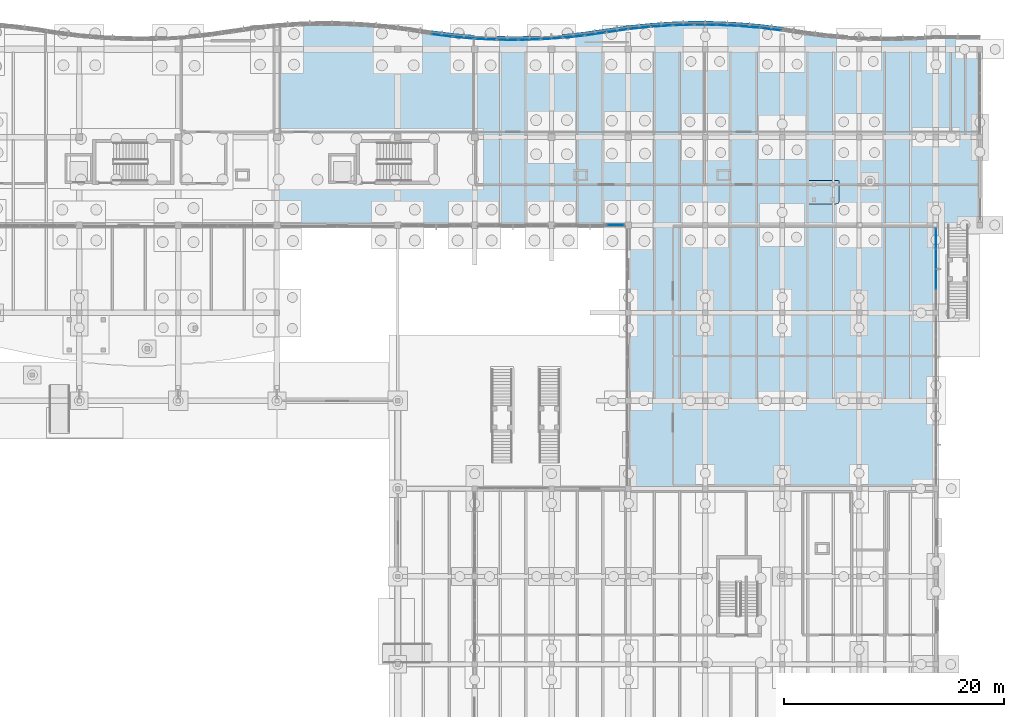
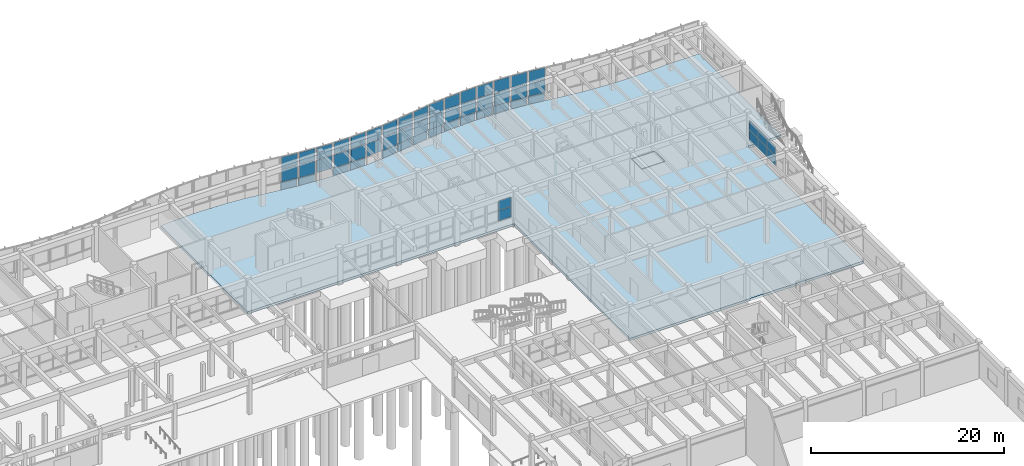
# One storey, part 59 of 99: 54 plates, 2 slabs, 18 elements without a shape of their own.
"""IFC4 building model written with IfcOpenShell, lengths in metres."""

import ifcopenshell
import ifcopenshell.guid

model = None  # the IFC model being written
_history = None  # IfcOwnerHistory: only IFC2X3 demands one
_inside = {}  # id of a spatial element -> (the spatial element, [elements in it])
_under = {}  # id of a project, library or spatial element -> (it, [spatial elements below it])
_declared = {}  # id of a project -> (the project, [libraries it declares])
_typed = {}  # id of a type object -> (the type object, [elements of that type])
_made_of = {}  # id of a material, layer set ... -> (it, [elements and type objects made of it])


def new_model(schema):
    """Start an empty IFC model of exactly this schema.

    Asked for "IFC4X3", IfcOpenShell would pick the latest addendum, in which some entities
    have other attributes; the version numbers below select the first issue.
    IFC2X3 requires an IfcOwnerHistory on every rooted entity: one is made here for all.
    """
    global model, _history
    if schema == "IFC4X3":
        model = ifcopenshell.file(schema_version=(4, 3, 0, 0))
    else:
        model = ifcopenshell.file(schema=schema)
    _inside.clear()
    _under.clear()
    _declared.clear()
    _typed.clear()
    _made_of.clear()
    _history = None
    if model.schema == "IFC2X3":
        org = make("IfcOrganization", Name="unknown")
        user = make(
            "IfcPersonAndOrganization",
            ThePerson=make("IfcPerson", FamilyName="unknown"),
            TheOrganization=org,
        )
        app = make(
            "IfcApplication",
            ApplicationDeveloper=org,
            Version="unknown",
            ApplicationFullName="unknown",
            ApplicationIdentifier="unknown",
        )
        _history = make(
            "IfcOwnerHistory",
            OwningUser=user,
            OwningApplication=app,
            ChangeAction="ADDED",
            CreationDate=0,
        )
    return model


def make(cls, **values):
    """One entity of the class cls with the attributes given. An attribute that is None is left unset."""
    return model.create_entity(
        cls, **{name: value for name, value in values.items() if value is not None}
    )


def rooted(cls, **values):
    """An entity with a GlobalId (a new one), such as an element, a storey or a relation."""
    return make(cls, GlobalId=ifcopenshell.guid.new(), OwnerHistory=_history, **values)


def si_unit(unit_type, name, prefix=None):
    """IfcSIUnit, for example si_unit("LENGTHUNIT", "METRE", prefix="MILLI")."""
    return make("IfcSIUnit", UnitType=unit_type, Prefix=prefix, Name=name)


def assignment(units):
    """IfcUnitAssignment: the units of a project."""
    return None if units is None else make("IfcUnitAssignment", Units=units)


def point(xyz):
    """IfcCartesianPoint."""
    return None if xyz is None else make("IfcCartesianPoint", Coordinates=xyz)


def direction(xyz):
    """IfcDirection."""
    return None if xyz is None else make("IfcDirection", DirectionRatios=xyz)


def frame(location, z_axis=None, x_axis=None):
    """IfcAxis2Placement3D, a coordinate frame: its origin and axes. An axis left out is left unset."""
    return make(
        "IfcAxis2Placement3D",
        Location=point(location),
        Axis=direction(z_axis),
        RefDirection=direction(x_axis),
    )


def frame_2d(location, x_axis=None):
    """IfcAxis2Placement2D, a coordinate frame in the plane: its origin and x axis."""
    return make(
        "IfcAxis2Placement2D", Location=point(location), RefDirection=direction(x_axis)
    )


def origin():
    """The frame at (0, 0, 0) with its axes left unset."""
    return frame((0.0, 0.0, 0.0))


def origin_2d():
    """The frame at (0, 0) in the plane with its x axis left unset."""
    return frame_2d((0.0, 0.0))


def place(relative_to, where):
    """IfcLocalPlacement: puts the frame where relative to a parent placement (None: the world)."""
    return make(
        "IfcLocalPlacement", PlacementRelTo=relative_to, RelativePlacement=where
    )


def context(
    kind, dimensions, precision=None, world=None, true_north=None, identifier=None
):
    """IfcGeometricRepresentationContext, for example the 3D "Model" context."""
    return make(
        "IfcGeometricRepresentationContext",
        ContextIdentifier=identifier,
        ContextType=kind,
        CoordinateSpaceDimension=dimensions,
        Precision=precision,
        WorldCoordinateSystem=world,
        TrueNorth=true_north,
    )


def subcontext(parent, identifier, kind, view, scale=None):
    """IfcGeometricRepresentationSubContext, for example "Body" below "Model"."""
    return make(
        "IfcGeometricRepresentationSubContext",
        ContextIdentifier=identifier,
        ContextType=kind,
        ParentContext=parent,
        TargetScale=scale,
        TargetView=view,
    )


def project(units=None, contexts=None):
    """IfcProject with its units and contexts."""
    return rooted(
        "IfcProject",
        Name="project",
        RepresentationContexts=contexts,
        UnitsInContext=assignment(units),
    )


def spatial(cls, under=None, at=None, **own):
    """A site, building, storey or space (cls), placed at a placement, below another one or the project."""
    s = rooted(cls, ObjectPlacement=at, **own)
    if under is not None:
        _under.setdefault(under.id(), (under, []))[1].append(s)
    return s


def polyline(points):
    """IfcPolyline through the points."""
    return make("IfcPolyline", Points=[point(p) for p in points])


def profile(cls, at=None, kind="AREA", **sizes):
    """A parametric profile (cls). Its sizes go by their IFC names, for example OverallWidth=200.0."""
    return make(cls, ProfileType=kind, Position=at, **sizes)


def rectangle(**sizes):
    """IfcRectangleProfileDef."""
    return profile("IfcRectangleProfileDef", **sizes)


def outline(outer, holes=None, kind="AREA"):
    """IfcArbitraryClosedProfileDef: a profile drawn as a closed curve; with holes, ...WithVoids."""
    if holes is None:
        return make("IfcArbitraryClosedProfileDef", ProfileType=kind, OuterCurve=outer)
    return make(
        "IfcArbitraryProfileDefWithVoids",
        ProfileType=kind,
        OuterCurve=outer,
        InnerCurves=holes,
    )


def extrude(swept, where, along, depth):
    """IfcExtrudedAreaSolid: the profile swept, set in the frame where, extruded along a direction by depth."""
    return make(
        "IfcExtrudedAreaSolid",
        SweptArea=swept,
        Position=where,
        ExtrudedDirection=direction(along),
        Depth=depth,
    )


def shape(context_of_items, identifier, shape_type, items):
    """IfcShapeRepresentation: the items that make up one representation, for example the "Body"."""
    return make(
        "IfcShapeRepresentation",
        ContextOfItems=context_of_items,
        RepresentationIdentifier=identifier,
        RepresentationType=shape_type,
        Items=items,
    )


def material(Name=None, Category=None):
    """IfcMaterial."""
    return make("IfcMaterial", Name=Name, Category=Category)


def layer(
    of_material, thickness, ventilated=None, Name=None, Category=None, Priority=None
):
    """IfcMaterialLayer: one layer of a wall or slab, of a material (None: an air gap)."""
    return make(
        "IfcMaterialLayer",
        Material=of_material,
        LayerThickness=thickness,
        IsVentilated=ventilated,
        Name=Name,
        Category=Category,
        Priority=Priority,
    )


def layer_set(layers, Name=None):
    """IfcMaterialLayerSet."""
    return make("IfcMaterialLayerSet", MaterialLayers=layers, LayerSetName=Name)


def made_of(thing, what):
    """Note that an element or type object is made of a material, layer set ...; save() writes the relation."""
    if what is not None:
        _made_of.setdefault(what.id(), (what, []))[1].append(thing)
    return thing


def type_object(cls, material=None, **own):
    """A type object (cls), such as IfcWallType, which elements share."""
    return made_of(rooted(cls, **own), material)


def element(
    cls,
    number,
    at=None,
    inside=None,
    cuts=None,
    type_object=None,
    material=None,
    context=None,
    identifier="Body",
    shape_type=None,
    held_by="IfcProductDefinitionShape",
    body=None,
    shapes=None,
    **own,
):
    """One element of the class cls, such as IfcWall. Its Tag is "e" and its number.

    at: its placement. inside: the storey or other place that contains it. cuts: it is an
    opening in that element (IfcRelVoidsElement). A single representation is given by context,
    identifier, shape_type and body (its items); several are given by shapes. held_by: the class
    of the entity that holds the representations. save() writes the other relations.
    """
    e = rooted(cls, Tag="e%d" % number, ObjectPlacement=at, **own)
    if body is not None:
        shapes = [shape(context, identifier, shape_type, body)]
    if shapes is not None:
        e.Representation = make(held_by, Representations=shapes)
    if inside is not None:
        _inside.setdefault(inside.id(), (inside, []))[1].append(e)
    if cuts is not None:
        rooted(
            "IfcRelVoidsElement", RelatingBuildingElement=cuts, RelatedOpeningElement=e
        )
    if type_object is not None:
        _typed.setdefault(type_object.id(), (type_object, []))[1].append(e)
    return made_of(e, material)


def aggregate(whole, parts):
    """IfcRelAggregates: a whole, such as a stair, and the parts it consists of."""
    return rooted("IfcRelAggregates", RelatingObject=whole, RelatedObjects=parts)


def save(model, path):
    """Write the relations noted so far, then the file.

    IfcRelAggregates (storeys below a building ...), IfcRelContainedInSpatialStructure (elements
    in a storey), IfcRelDefinesByType, IfcRelAssociatesMaterial and IfcRelDeclares: one each for
    every whole, place, type object, material and project.
    """
    for whole, parts in _under.values():
        aggregate(whole, parts)
    for where, things in _inside.values():
        rooted(
            "IfcRelContainedInSpatialStructure",
            RelatedElements=things,
            RelatingStructure=where,
        )
    for kind, things in _typed.values():
        rooted("IfcRelDefinesByType", RelatedObjects=things, RelatingType=kind)
    for what, things in _made_of.values():
        rooted("IfcRelAssociatesMaterial", RelatedObjects=things, RelatingMaterial=what)
    for by, libraries in _declared.values():
        rooted("IfcRelDeclares", RelatingContext=by, RelatedDefinitions=libraries)
    model.write(path)


model = new_model("IFC4")

# Units and contexts
model_context = context("Model", 3, precision=1e-05, world=origin(), true_north=direction((0.0, 1.0)))
body_context = subcontext(model_context, "Body", "Model", "MODEL_VIEW")
ifc_project = project(units=[si_unit("LENGTHUNIT", "METRE"), si_unit("AREAUNIT", "SQUARE_METRE"), si_unit("VOLUMEUNIT", "CUBIC_METRE"), si_unit("PLANEANGLEUNIT", "RADIAN"), si_unit("MASSUNIT", "GRAM", prefix="KILO")], contexts=[model_context])

# Site, building, storey
site_placement = place(None, origin())
site = spatial("IfcSite", under=ifc_project, at=site_placement, CompositionType="ELEMENT")
building_placement = place(site_placement, origin())
building = spatial("IfcBuilding", under=site, at=building_placement, Name="Tonlespit Floodbar School", CompositionType="ELEMENT")
storey_placement = place(building_placement, origin())
storey = spatial("IfcBuildingStorey", under=building, at=storey_placement, Name="L00", CompositionType="ELEMENT", Elevation=0.0)

# Curtain wall, plates
ifc_material_1 = material(Name="Anodised Aluminium", Category="aluminium")
ifc_layer_1 = layer(ifc_material_1, 0.159912109375)
ifc_layer_set_1 = layer_set([ifc_layer_1], Name="Anodised Aluminium")
curtain_wall_type_1 = type_object("IfcCurtainWallType", Name="CurtainWall_1900x3300", PredefinedType="NOTDEFINED", material=ifc_layer_set_1)
curtain_wall_1_placement = place(storey_placement, origin())
curtain_wall_1 = element("IfcCurtainWall", 1, at=curtain_wall_1_placement, inside=storey, type_object=curtain_wall_type_1, Name="L00 unitised curtain wall 0349", PredefinedType="NOTDEFINED")
ifc_material_2 = material(Name="Laminated Low-E Glass", Category="glass")
ifc_layer_2 = layer(ifc_material_2, 0.028076171875)
ifc_layer_set_2 = layer_set([ifc_layer_2], Name="Laminated Low-E Glass")
plate_type_1 = type_object("IfcPlateType", Name="CW_Panel_Glaz_28", PredefinedType="CURTAIN_PANEL", material=ifc_layer_set_2)
plate_1_placement = place(storey_placement, frame((137.0, 120.862548828125, 1.014892578125), z_axis=(0.0, 0.0, 1.0), x_axis=(0.999954083024, -0.009582893292, 0.0)))
plate_1 = element("IfcPlate", 2, at=plate_1_placement, type_object=plate_type_1, Name="CW-02 panel 1.1", PredefinedType="CURTAIN_PANEL", context=body_context, shape_type="SweptSolid", body=[
    extrude(rectangle(XDim=1.7900390625, YDim=0.028076171875, at=origin_2d()), origin(), (0.0, 0.0, 1.0), 1.61328125),
])
plate_2_placement = place(storey_placement, frame((137.0, 120.862548828125, 2.693359375), z_axis=(0.0, 0.0, 1.0), x_axis=(0.999954083024, -0.009582893292, 0.0)))
plate_2 = element("IfcPlate", 3, at=plate_2_placement, type_object=plate_type_1, Name="CW-02 panel 1.2", PredefinedType="CURTAIN_PANEL", context=body_context, shape_type="SweptSolid", body=[
    extrude(rectangle(XDim=1.7900390625, YDim=0.028076171875, at=origin_2d()), origin(), (0.0, 0.0, 1.0), 1.481689453125),
])
aggregate(curtain_wall_1, [plate_1, plate_2])

ifc_layer_3 = layer(ifc_material_1, 0.159912109375)
ifc_layer_set_3 = layer_set([ifc_layer_3], Name="Anodised Aluminium")
curtain_wall_type_2 = type_object("IfcCurtainWallType", Name="CurtainWall_1950x3300", PredefinedType="NOTDEFINED", material=ifc_layer_set_3)
curtain_wall_2_placement = place(storey_placement, origin())
curtain_wall_2 = element("IfcCurtainWall", 4, at=curtain_wall_2_placement, inside=storey, type_object=curtain_wall_type_2, Name="L00 unitised curtain wall 0353", PredefinedType="NOTDEFINED")
plate_3_placement = place(storey_placement, frame((145.0, 121.404296875, 1.014892578125), z_axis=(0.0, 0.0, 1.0), x_axis=(0.989541561858, 0.144248041079, 0.0)))
plate_3 = element("IfcPlate", 5, at=plate_3_placement, type_object=plate_type_1, Name="CW-01 panel 1.1", PredefinedType="CURTAIN_PANEL", context=body_context, shape_type="SweptSolid", body=[
    extrude(rectangle(XDim=1.81103515625, YDim=0.028076171875, at=origin_2d()), origin(), (0.0, 0.0, 1.0), 1.61328125),
])
plate_4_placement = place(storey_placement, frame((145.0, 121.404296875, 2.693359375), z_axis=(0.0, 0.0, 1.0), x_axis=(0.989541561858, 0.144248041079, 0.0)))
plate_4 = element("IfcPlate", 6, at=plate_4_placement, type_object=plate_type_1, Name="CW-01 panel 1.2", PredefinedType="CURTAIN_PANEL", context=body_context, shape_type="SweptSolid", body=[
    extrude(rectangle(XDim=1.81103515625, YDim=0.028076171875, at=origin_2d()), origin(), (0.0, 0.0, 1.0), 1.481689453125),
])
aggregate(curtain_wall_2, [plate_3, plate_4])

curtain_wall_3_placement = place(storey_placement, origin())
curtain_wall_3 = element("IfcCurtainWall", 7, at=curtain_wall_3_placement, inside=storey, type_object=curtain_wall_type_1, Name="L00 unitised curtain wall 0357", PredefinedType="NOTDEFINED")
plate_5_placement = place(storey_placement, frame((153.0, 122.21826171875, 1.014892578125), z_axis=(0.0, 0.0, 1.0), x_axis=(0.999585477883, 0.028790144226, 0.0)))
plate_5 = element("IfcPlate", 8, at=plate_5_placement, type_object=plate_type_1, Name="CW-02 panel 1.1", PredefinedType="CURTAIN_PANEL", context=body_context, shape_type="SweptSolid", body=[
    extrude(rectangle(XDim=1.790771484375, YDim=0.028076171875, at=origin_2d()), origin(), (0.0, 0.0, 1.0), 1.61328125),
])
plate_6_placement = place(storey_placement, frame((153.0, 122.21826171875, 2.693359375), z_axis=(0.0, 0.0, 1.0), x_axis=(0.999585477883, 0.028790144226, 0.0)))
plate_6 = element("IfcPlate", 9, at=plate_6_placement, type_object=plate_type_1, Name="CW-02 panel 1.2", PredefinedType="CURTAIN_PANEL", context=body_context, shape_type="SweptSolid", body=[
    extrude(rectangle(XDim=1.790771484375, YDim=0.028076171875, at=origin_2d()), origin(), (0.0, 0.0, 1.0), 1.481689453125),
])
aggregate(curtain_wall_3, [plate_5, plate_6])

curtain_wall_4_placement = place(storey_placement, origin())
curtain_wall_4 = element("IfcCurtainWall", 10, at=curtain_wall_4_placement, inside=storey, type_object=curtain_wall_type_2, Name="L00 unitised curtain wall 0361", PredefinedType="NOTDEFINED")
plate_7_placement = place(storey_placement, frame((161.0, 121.831787109375, 1.014892578125), z_axis=(0.0, 0.0, 1.0), x_axis=(0.992155002499, -0.125013803299, 0.0)))
plate_7 = element("IfcPlate", 11, at=plate_7_placement, type_object=plate_type_1, Name="CW-01 panel 1.1", PredefinedType="CURTAIN_PANEL", context=body_context, shape_type="SweptSolid", body=[
    extrude(rectangle(XDim=1.805908203125, YDim=0.028076171875, at=origin_2d()), origin(), (0.0, 0.0, 1.0), 1.61328125),
])
plate_8_placement = place(storey_placement, frame((161.0, 121.831787109375, 2.693359375), z_axis=(0.0, 0.0, 1.0), x_axis=(0.992155002499, -0.125013803299, 0.0)))
plate_8 = element("IfcPlate", 12, at=plate_8_placement, type_object=plate_type_1, Name="CW-01 panel 1.2", PredefinedType="CURTAIN_PANEL", context=body_context, shape_type="SweptSolid", body=[
    extrude(rectangle(XDim=1.805908203125, YDim=0.028076171875, at=origin_2d()), origin(), (0.0, 0.0, 1.0), 1.481689453125),
])
aggregate(curtain_wall_4, [plate_7, plate_8])

curtain_wall_5_placement = place(storey_placement, origin())
curtain_wall_5 = element("IfcCurtainWall", 13, at=curtain_wall_5_placement, inside=storey, type_object=curtain_wall_type_2, Name="L00 unitised curtain wall 0346", PredefinedType="NOTDEFINED")
ifc_layer_4 = layer(ifc_material_2, 0.031982421875)
ifc_layer_set_4 = layer_set([ifc_layer_4], Name="Laminated Low-E Glass")
plate_type_2 = type_object("IfcPlateType", Name="CW_Panel_Glaz_32", PredefinedType="CURTAIN_PANEL", material=ifc_layer_set_4)
plate_9_placement = place(storey_placement, frame((131.0, 121.268310546875, 1.014892578125), z_axis=(0.0, 0.0, 1.0), x_axis=(0.992155002499, -0.125013803299, 0.0)))
plate_9 = element("IfcPlate", 14, at=plate_9_placement, type_object=plate_type_2, Name="CW-01 panel 1.1", PredefinedType="CURTAIN_PANEL", context=body_context, shape_type="SweptSolid", body=[
    extrude(rectangle(XDim=1.805908203125, YDim=0.031982421875, at=origin_2d()), origin(), (0.0, 0.0, 1.0), 1.61328125),
])
plate_10_placement = place(storey_placement, frame((131.0, 121.268310546875, 2.693359375), z_axis=(0.0, 0.0, 1.0), x_axis=(0.992155002499, -0.125013803299, 0.0)))
plate_10 = element("IfcPlate", 15, at=plate_10_placement, type_object=plate_type_2, Name="CW-01 panel 1.2", PredefinedType="CURTAIN_PANEL", context=body_context, shape_type="SweptSolid", body=[
    extrude(rectangle(XDim=1.805908203125, YDim=0.031982421875, at=origin_2d()), origin(), (0.0, 0.0, 1.0), 1.481689453125),
])
aggregate(curtain_wall_5, [plate_9, plate_10])

curtain_wall_6_placement = place(storey_placement, origin())
curtain_wall_6 = element("IfcCurtainWall", 16, at=curtain_wall_6_placement, inside=storey, type_object=curtain_wall_type_1, Name="L00 unitised curtain wall 0350", PredefinedType="NOTDEFINED")
plate_11_placement = place(storey_placement, frame((139.0, 120.8818359375, 1.014892578125), z_axis=(0.0, 0.0, 1.0), x_axis=(0.999585477883, 0.028790144226, 0.0)))
plate_11 = element("IfcPlate", 17, at=plate_11_placement, type_object=plate_type_2, Name="CW-02 panel 1.1", PredefinedType="CURTAIN_PANEL", context=body_context, shape_type="SweptSolid", body=[
    extrude(rectangle(XDim=1.790771484375, YDim=0.031982421875, at=origin_2d()), origin(), (0.0, 0.0, 1.0), 1.61328125),
])
plate_12_placement = place(storey_placement, frame((139.0, 120.8818359375, 2.693359375), z_axis=(0.0, 0.0, 1.0), x_axis=(0.999585477883, 0.028790144226, 0.0)))
plate_12 = element("IfcPlate", 18, at=plate_12_placement, type_object=plate_type_2, Name="CW-02 panel 1.2", PredefinedType="CURTAIN_PANEL", context=body_context, shape_type="SweptSolid", body=[
    extrude(rectangle(XDim=1.790771484375, YDim=0.031982421875, at=origin_2d()), origin(), (0.0, 0.0, 1.0), 1.481689453125),
])
aggregate(curtain_wall_6, [plate_11, plate_12])

curtain_wall_7_placement = place(storey_placement, origin())
curtain_wall_7 = element("IfcCurtainWall", 19, at=curtain_wall_7_placement, inside=storey, type_object=curtain_wall_type_2, Name="L00 unitised curtain wall 0354", PredefinedType="NOTDEFINED")
plate_13_placement = place(storey_placement, frame((147.0, 121.69580078125, 1.014892578125), z_axis=(0.0, 0.0, 1.0), x_axis=(0.989541561858, 0.144248041079, 0.0)))
plate_13 = element("IfcPlate", 20, at=plate_13_placement, type_object=plate_type_2, Name="CW-01 panel 1.1", PredefinedType="CURTAIN_PANEL", context=body_context, shape_type="SweptSolid", body=[
    extrude(rectangle(XDim=1.81103515625, YDim=0.031982421875, at=origin_2d()), origin(), (0.0, 0.0, 1.0), 1.61328125),
])
plate_14_placement = place(storey_placement, frame((147.0, 121.69580078125, 2.693359375), z_axis=(0.0, 0.0, 1.0), x_axis=(0.989541561858, 0.144248041079, 0.0)))
plate_14 = element("IfcPlate", 21, at=plate_14_placement, type_object=plate_type_2, Name="CW-01 panel 1.2", PredefinedType="CURTAIN_PANEL", context=body_context, shape_type="SweptSolid", body=[
    extrude(rectangle(XDim=1.81103515625, YDim=0.031982421875, at=origin_2d()), origin(), (0.0, 0.0, 1.0), 1.481689453125),
])
aggregate(curtain_wall_7, [plate_13, plate_14])

curtain_wall_8_placement = place(storey_placement, origin())
curtain_wall_8 = element("IfcCurtainWall", 22, at=curtain_wall_8_placement, inside=storey, type_object=curtain_wall_type_1, Name="L00 unitised curtain wall 0358", PredefinedType="NOTDEFINED")
plate_15_placement = place(storey_placement, frame((155.0, 122.2373046875, 1.014892578125), z_axis=(0.0, 0.0, 1.0), x_axis=(0.999954083024, -0.009582893292, 0.0)))
plate_15 = element("IfcPlate", 23, at=plate_15_placement, type_object=plate_type_2, Name="CW-02 panel 1.1", PredefinedType="CURTAIN_PANEL", context=body_context, shape_type="SweptSolid", body=[
    extrude(rectangle(XDim=1.7900390625, YDim=0.031982421875, at=origin_2d()), origin(), (0.0, 0.0, 1.0), 1.61328125),
])
plate_16_placement = place(storey_placement, frame((155.0, 122.2373046875, 2.693359375), z_axis=(0.0, 0.0, 1.0), x_axis=(0.999954083024, -0.009582893292, 0.0)))
plate_16 = element("IfcPlate", 24, at=plate_16_placement, type_object=plate_type_2, Name="CW-02 panel 1.2", PredefinedType="CURTAIN_PANEL", context=body_context, shape_type="SweptSolid", body=[
    extrude(rectangle(XDim=1.7900390625, YDim=0.031982421875, at=origin_2d()), origin(), (0.0, 0.0, 1.0), 1.481689453125),
])
aggregate(curtain_wall_8, [plate_15, plate_16])

ifc_layer_5 = layer(ifc_material_1, 0.159912109375)
ifc_layer_set_5 = layer_set([ifc_layer_5], Name="Anodised Aluminium")
curtain_wall_type_3 = type_object("IfcCurtainWallType", Name="CurtainWall_7400x2600", PredefinedType="NOTDEFINED", material=ifc_layer_set_5)
curtain_wall_9_placement = place(storey_placement, origin())
curtain_wall_9 = element("IfcCurtainWall", 25, at=curtain_wall_9_placement, inside=storey, type_object=curtain_wall_type_3, Name="L00 unitised curtain wall 0374", PredefinedType="NOTDEFINED")
plate_17_placement = place(storey_placement, frame((176.0, 102.766357421875, 1.01513671875), z_axis=(0.0, 0.0, 1.0), x_axis=(0.0, -1.0, 0.0)))
plate_17 = element("IfcPlate", 26, at=plate_17_placement, type_object=plate_type_2, Name="CW-52 panel 1.1", PredefinedType="CURTAIN_PANEL", context=body_context, shape_type="SweptSolid", body=[
    extrude(rectangle(XDim=1.757568359375, YDim=0.031982421875, at=origin_2d()), origin(), (0.0, 0.0, 1.0), 1.249267578125),
])
plate_18_placement = place(storey_placement, frame((176.0, 102.766357421875, 2.3291015625), z_axis=(0.0, 0.0, 1.0), x_axis=(0.0, -1.0, 0.0)))
plate_18 = element("IfcPlate", 27, at=plate_18_placement, type_object=plate_type_2, Name="CW-52 panel 1.2", PredefinedType="CURTAIN_PANEL", context=body_context, shape_type="SweptSolid", body=[
    extrude(rectangle(XDim=1.757568359375, YDim=0.031982421875, at=origin_2d()), origin(), (0.0, 0.0, 1.0), 1.145751953125),
])
plate_19_placement = place(storey_placement, frame((176.0, 100.927490234375, 1.01513671875), z_axis=(0.0, 0.0, 1.0), x_axis=(0.0, -1.0, 0.0)))
plate_19 = element("IfcPlate", 28, at=plate_19_placement, type_object=plate_type_2, Name="CW-52 panel 2.1", PredefinedType="CURTAIN_PANEL", context=body_context, shape_type="SweptSolid", body=[
    extrude(rectangle(XDim=1.7900390625, YDim=0.031982421875, at=origin_2d()), origin(), (0.0, 0.0, 1.0), 1.249267578125),
])
plate_20_placement = place(storey_placement, frame((176.0, 100.927490234375, 2.3291015625), z_axis=(0.0, 0.0, 1.0), x_axis=(0.0, -1.0, 0.0)))
plate_20 = element("IfcPlate", 29, at=plate_20_placement, type_object=plate_type_2, Name="CW-52 panel 2.2", PredefinedType="CURTAIN_PANEL", context=body_context, shape_type="SweptSolid", body=[
    extrude(rectangle(XDim=1.7900390625, YDim=0.031982421875, at=origin_2d()), origin(), (0.0, 0.0, 1.0), 1.145751953125),
])
plate_21_placement = place(storey_placement, frame((176.0, 99.072509765625, 1.01513671875), z_axis=(0.0, 0.0, 1.0), x_axis=(0.0, -1.0, 0.0)))
plate_21 = element("IfcPlate", 30, at=plate_21_placement, type_object=plate_type_2, Name="CW-52 panel 3.1", PredefinedType="CURTAIN_PANEL", context=body_context, shape_type="SweptSolid", body=[
    extrude(rectangle(XDim=1.7900390625, YDim=0.031982421875, at=origin_2d()), origin(), (0.0, 0.0, 1.0), 1.249267578125),
])
plate_22_placement = place(storey_placement, frame((176.0, 99.072509765625, 2.3291015625), z_axis=(0.0, 0.0, 1.0), x_axis=(0.0, -1.0, 0.0)))
plate_22 = element("IfcPlate", 31, at=plate_22_placement, type_object=plate_type_2, Name="CW-52 panel 3.2", PredefinedType="CURTAIN_PANEL", context=body_context, shape_type="SweptSolid", body=[
    extrude(rectangle(XDim=1.7900390625, YDim=0.031982421875, at=origin_2d()), origin(), (0.0, 0.0, 1.0), 1.145751953125),
])
aggregate(curtain_wall_9, [plate_17, plate_18, plate_19, plate_20, plate_21, plate_22])

curtain_wall_10_placement = place(storey_placement, origin())
curtain_wall_10 = element("IfcCurtainWall", 32, at=curtain_wall_10_placement, inside=storey, type_object=curtain_wall_type_2, Name="L00 unitised curtain wall 0347", PredefinedType="NOTDEFINED")
ifc_layer_6 = layer(ifc_material_2, 0.035888671875)
ifc_layer_set_6 = layer_set([ifc_layer_6], Name="Laminated Low-E Glass")
plate_type_3 = type_object("IfcPlateType", Name="CW_Panel_Glaz_36", PredefinedType="CURTAIN_PANEL", material=ifc_layer_set_6)
plate_23_placement = place(storey_placement, frame((133.0, 121.055419921875, 1.014892578125), z_axis=(0.0, 0.0, 1.0), x_axis=(0.996249148412, -0.086531117454, 0.0)))
plate_23 = element("IfcPlate", 33, at=plate_23_placement, type_object=plate_type_3, Name="CW-01 panel 1.1", PredefinedType="CURTAIN_PANEL", context=body_context, shape_type="SweptSolid", body=[
    extrude(rectangle(XDim=1.797607421875, YDim=0.035888671875, at=origin_2d()), origin(), (0.0, 0.0, 1.0), 1.61328125),
])
plate_24_placement = place(storey_placement, frame((133.0, 121.055419921875, 2.693359375), z_axis=(0.0, 0.0, 1.0), x_axis=(0.996249148412, -0.086531117454, 0.0)))
plate_24 = element("IfcPlate", 34, at=plate_24_placement, type_object=plate_type_3, Name="CW-01 panel 1.2", PredefinedType="CURTAIN_PANEL", context=body_context, shape_type="SweptSolid", body=[
    extrude(rectangle(XDim=1.797607421875, YDim=0.035888671875, at=origin_2d()), origin(), (0.0, 0.0, 1.0), 1.481689453125),
])
aggregate(curtain_wall_10, [plate_23, plate_24])

curtain_wall_11_placement = place(storey_placement, origin())
curtain_wall_11 = element("IfcCurtainWall", 35, at=curtain_wall_11_placement, inside=storey, type_object=curtain_wall_type_1, Name="L00 unitised curtain wall 0351", PredefinedType="NOTDEFINED")
plate_25_placement = place(storey_placement, frame((141.0, 120.978271484375, 1.014892578125), z_axis=(0.0, 0.0, 1.0), x_axis=(0.99773010165, 0.067339767311, 0.0)))
plate_25 = element("IfcPlate", 36, at=plate_25_placement, type_object=plate_type_3, Name="CW-02 panel 1.1", PredefinedType="CURTAIN_PANEL", context=body_context, shape_type="SweptSolid", body=[
    extrude(rectangle(XDim=1.794677734375, YDim=0.035888671875, at=origin_2d()), origin(), (0.0, 0.0, 1.0), 1.61328125),
])
plate_26_placement = place(storey_placement, frame((141.0, 120.978271484375, 2.693359375), z_axis=(0.0, 0.0, 1.0), x_axis=(0.99773010165, 0.067339767311, 0.0)))
plate_26 = element("IfcPlate", 37, at=plate_26_placement, type_object=plate_type_3, Name="CW-02 panel 1.2", PredefinedType="CURTAIN_PANEL", context=body_context, shape_type="SweptSolid", body=[
    extrude(rectangle(XDim=1.794677734375, YDim=0.035888671875, at=origin_2d()), origin(), (0.0, 0.0, 1.0), 1.481689453125),
])
aggregate(curtain_wall_11, [plate_25, plate_26])

curtain_wall_12_placement = place(storey_placement, origin())
curtain_wall_12 = element("IfcCurtainWall", 38, at=curtain_wall_12_placement, inside=storey, type_object=curtain_wall_type_2, Name="L00 unitised curtain wall 0355", PredefinedType="NOTDEFINED")
plate_27_placement = place(storey_placement, frame((149.0, 121.947998046875, 1.014892578125), z_axis=(0.0, 0.0, 1.0), x_axis=(0.994388797288, 0.105787143968, 0.0)))
plate_27 = element("IfcPlate", 39, at=plate_27_placement, type_object=plate_type_3, Name="CW-01 panel 1.1", PredefinedType="CURTAIN_PANEL", context=body_context, shape_type="SweptSolid", body=[
    extrude(rectangle(XDim=1.80126953125, YDim=0.035888671875, at=origin_2d()), origin(), (0.0, 0.0, 1.0), 1.61328125),
])
plate_28_placement = place(storey_placement, frame((149.0, 121.947998046875, 2.693359375), z_axis=(0.0, 0.0, 1.0), x_axis=(0.994388797288, 0.105787143968, 0.0)))
plate_28 = element("IfcPlate", 40, at=plate_28_placement, type_object=plate_type_3, Name="CW-01 panel 1.2", PredefinedType="CURTAIN_PANEL", context=body_context, shape_type="SweptSolid", body=[
    extrude(rectangle(XDim=1.80126953125, YDim=0.035888671875, at=origin_2d()), origin(), (0.0, 0.0, 1.0), 1.481689453125),
])
aggregate(curtain_wall_12, [plate_27, plate_28])

curtain_wall_13_placement = place(storey_placement, origin())
curtain_wall_13 = element("IfcCurtainWall", 41, at=curtain_wall_13_placement, inside=storey, type_object=curtain_wall_type_1, Name="L00 unitised curtain wall 0359", PredefinedType="NOTDEFINED")
plate_29_placement = place(storey_placement, frame((157.0, 122.1796875, 1.014892578125), z_axis=(0.0, 0.0, 1.0), x_axis=(0.998841500616, -0.048121270216, 0.0)))
plate_29 = element("IfcPlate", 42, at=plate_29_placement, type_object=plate_type_3, Name="CW-02 panel 1.1", PredefinedType="CURTAIN_PANEL", context=body_context, shape_type="SweptSolid", body=[
    extrude(rectangle(XDim=1.792236328125, YDim=0.035888671875, at=origin_2d()), origin(), (0.0, 0.0, 1.0), 1.61328125),
])
plate_30_placement = place(storey_placement, frame((157.0, 122.1796875, 2.693359375), z_axis=(0.0, 0.0, 1.0), x_axis=(0.998841500616, -0.048121270216, 0.0)))
plate_30 = element("IfcPlate", 43, at=plate_30_placement, type_object=plate_type_3, Name="CW-02 panel 1.2", PredefinedType="CURTAIN_PANEL", context=body_context, shape_type="SweptSolid", body=[
    extrude(rectangle(XDim=1.792236328125, YDim=0.035888671875, at=origin_2d()), origin(), (0.0, 0.0, 1.0), 1.481689453125),
])
aggregate(curtain_wall_13, [plate_29, plate_30])

ifc_layer_7 = layer(ifc_material_1, 0.159912109375)
ifc_layer_set_7 = layer_set([ifc_layer_7], Name="Anodised Aluminium")
curtain_wall_type_4 = type_object("IfcCurtainWallType", Name="CurtainWall_6300x2650", PredefinedType="NOTDEFINED", material=ifc_layer_set_7)
curtain_wall_14_placement = place(storey_placement, origin())
curtain_wall_14 = element("IfcCurtainWall", 44, at=curtain_wall_14_placement, inside=storey, type_object=curtain_wall_type_4, Name="L00 unitised curtain wall 0371", PredefinedType="NOTDEFINED")
plate_31_placement = place(storey_placement, frame((146.853759765625, 104.0, 1.014892578125), z_axis=(0.0, 0.0, 1.0), x_axis=(-1.0, 0.0, 0.0)))
plate_31 = element("IfcPlate", 45, at=plate_31_placement, type_object=plate_type_3, Name="CW-59 panel 1.1", PredefinedType="CURTAIN_PANEL", context=body_context, shape_type="SweptSolid", body=[
    extrude(rectangle(XDim=1.482421875, YDim=0.035888671875, at=origin_2d()), origin(), (0.0, 0.0, 1.0), 1.275390625),
])
plate_32_placement = place(storey_placement, frame((146.853759765625, 104.0, 2.35546875), z_axis=(0.0, 0.0, 1.0), x_axis=(-1.0, 0.0, 0.0)))
plate_32 = element("IfcPlate", 46, at=plate_32_placement, type_object=plate_type_3, Name="CW-59 panel 1.2", PredefinedType="CURTAIN_PANEL", context=body_context, shape_type="SweptSolid", body=[
    extrude(rectangle(XDim=1.482421875, YDim=0.035888671875, at=origin_2d()), origin(), (0.0, 0.0, 1.0), 1.169677734375),
])
aggregate(curtain_wall_14, [plate_31, plate_32])

curtain_wall_15_placement = place(storey_placement, origin())
curtain_wall_15 = element("IfcCurtainWall", 47, at=curtain_wall_15_placement, inside=storey, type_object=curtain_wall_type_1, Name="L00 unitised curtain wall 0348", PredefinedType="NOTDEFINED")
ifc_layer_8 = layer(ifc_material_2, 0.0419921875)
ifc_layer_set_8 = layer_set([ifc_layer_8], Name="Laminated Low-E Glass")
plate_type_4 = type_object("IfcPlateType", Name="CW_Panel_Glaz_42", PredefinedType="CURTAIN_PANEL", material=ifc_layer_set_8)
plate_33_placement = place(storey_placement, frame((135.0, 120.92041015625, 1.014892578125), z_axis=(0.0, 0.0, 1.0), x_axis=(0.998841500616, -0.048121270216, 0.0)))
plate_33 = element("IfcPlate", 48, at=plate_33_placement, type_object=plate_type_4, Name="CW-02 panel 1.1", PredefinedType="CURTAIN_PANEL", context=body_context, shape_type="SweptSolid", body=[
    extrude(rectangle(XDim=1.792236328125, YDim=0.0419921875, at=origin_2d()), origin(), (0.0, 0.0, 1.0), 1.61328125),
])
plate_34_placement = place(storey_placement, frame((135.0, 120.92041015625, 2.693359375), z_axis=(0.0, 0.0, 1.0), x_axis=(0.998841500616, -0.048121270216, 0.0)))
plate_34 = element("IfcPlate", 49, at=plate_34_placement, type_object=plate_type_4, Name="CW-02 panel 1.2", PredefinedType="CURTAIN_PANEL", context=body_context, shape_type="SweptSolid", body=[
    extrude(rectangle(XDim=1.792236328125, YDim=0.0419921875, at=origin_2d()), origin(), (0.0, 0.0, 1.0), 1.481689453125),
])
aggregate(curtain_wall_15, [plate_33, plate_34])

curtain_wall_16_placement = place(storey_placement, origin())
curtain_wall_16 = element("IfcCurtainWall", 50, at=curtain_wall_16_placement, inside=storey, type_object=curtain_wall_type_2, Name="L00 unitised curtain wall 0352", PredefinedType="NOTDEFINED")
plate_35_placement = place(storey_placement, frame((143.0, 121.152099609375, 1.014892578125), z_axis=(0.0, 0.0, 1.0), x_axis=(0.994388797288, 0.105787143968, 0.0)))
plate_35 = element("IfcPlate", 51, at=plate_35_placement, type_object=plate_type_4, Name="CW-01 panel 1.1", PredefinedType="CURTAIN_PANEL", context=body_context, shape_type="SweptSolid", body=[
    extrude(rectangle(XDim=1.80126953125, YDim=0.0419921875, at=origin_2d()), origin(), (0.0, 0.0, 1.0), 1.61328125),
])
plate_36_placement = place(storey_placement, frame((143.0, 121.152099609375, 2.693359375), z_axis=(0.0, 0.0, 1.0), x_axis=(0.994388797288, 0.105787143968, 0.0)))
plate_36 = element("IfcPlate", 52, at=plate_36_placement, type_object=plate_type_4, Name="CW-01 panel 1.2", PredefinedType="CURTAIN_PANEL", context=body_context, shape_type="SweptSolid", body=[
    extrude(rectangle(XDim=1.80126953125, YDim=0.0419921875, at=origin_2d()), origin(), (0.0, 0.0, 1.0), 1.481689453125),
])
aggregate(curtain_wall_16, [plate_35, plate_36])

curtain_wall_17_placement = place(storey_placement, origin())
curtain_wall_17 = element("IfcCurtainWall", 53, at=curtain_wall_17_placement, inside=storey, type_object=curtain_wall_type_1, Name="L00 unitised curtain wall 0356", PredefinedType="NOTDEFINED")
plate_37_placement = place(storey_placement, frame((151.0, 122.121826171875, 1.014892578125), z_axis=(0.0, 0.0, 1.0), x_axis=(0.99773010165, 0.067339767311, 0.0)))
plate_37 = element("IfcPlate", 54, at=plate_37_placement, type_object=plate_type_4, Name="CW-02 panel 1.1", PredefinedType="CURTAIN_PANEL", context=body_context, shape_type="SweptSolid", body=[
    extrude(rectangle(XDim=1.794677734375, YDim=0.0419921875, at=origin_2d()), origin(), (0.0, 0.0, 1.0), 1.61328125),
])
plate_38_placement = place(storey_placement, frame((151.0, 122.121826171875, 2.693359375), z_axis=(0.0, 0.0, 1.0), x_axis=(0.99773010165, 0.067339767311, 0.0)))
plate_38 = element("IfcPlate", 55, at=plate_38_placement, type_object=plate_type_4, Name="CW-02 panel 1.2", PredefinedType="CURTAIN_PANEL", context=body_context, shape_type="SweptSolid", body=[
    extrude(rectangle(XDim=1.794677734375, YDim=0.0419921875, at=origin_2d()), origin(), (0.0, 0.0, 1.0), 1.481689453125),
])
aggregate(curtain_wall_17, [plate_37, plate_38])

curtain_wall_18_placement = place(storey_placement, origin())
curtain_wall_18 = element("IfcCurtainWall", 56, at=curtain_wall_18_placement, inside=storey, type_object=curtain_wall_type_2, Name="L00 unitised curtain wall 0360", PredefinedType="NOTDEFINED")
plate_39_placement = place(storey_placement, frame((159.0, 122.044677734375, 1.014892578125), z_axis=(0.0, 0.0, 1.0), x_axis=(0.996249148412, -0.086531117454, 0.0)))
plate_39 = element("IfcPlate", 57, at=plate_39_placement, type_object=plate_type_4, Name="CW-01 panel 1.1", PredefinedType="CURTAIN_PANEL", context=body_context, shape_type="SweptSolid", body=[
    extrude(rectangle(XDim=1.797607421875, YDim=0.0419921875, at=origin_2d()), origin(), (0.0, 0.0, 1.0), 1.61328125),
])
plate_40_placement = place(storey_placement, frame((159.0, 122.044677734375, 2.693359375), z_axis=(0.0, 0.0, 1.0), x_axis=(0.996249148412, -0.086531117454, 0.0)))
plate_40 = element("IfcPlate", 58, at=plate_40_placement, type_object=plate_type_4, Name="CW-01 panel 1.2", PredefinedType="CURTAIN_PANEL", context=body_context, shape_type="SweptSolid", body=[
    extrude(rectangle(XDim=1.797607421875, YDim=0.0419921875, at=origin_2d()), origin(), (0.0, 0.0, 1.0), 1.481689453125),
])
aggregate(curtain_wall_18, [plate_39, plate_40])

# Plates
ifc_material_3 = material(Name="White Architectural Aluminium", Category="aluminium")
ifc_layer_9 = layer(ifc_material_3, 0.06494140625)
ifc_layer_set_9 = layer_set([ifc_layer_9], Name="White Architectural Aluminium")
plate_type_5 = type_object("IfcPlateType", Name="FacadeRibbon_White_65", PredefinedType="SHEET", material=ifc_layer_set_9)
plate_41_placement = place(storey_placement, frame((131.022705078125, 121.448974609375, -0.1201171875), z_axis=(0.0, 0.0, 1.0), x_axis=(0.99215533612, -0.125011155539, 0.0)))
element("IfcPlate", 59, at=plate_41_placement, inside=storey, type_object=plate_type_5, Name="L00 flowing white street spandrel ribbon 0596", PredefinedType="SHEET", context=body_context, shape_type="SweptSolid", body=[
    extrude(rectangle(XDim=1.855712890625, YDim=0.06494140625, at=origin_2d()), origin(), (0.0, 0.0, 1.0), 1.070068359375),
])
plate_42_placement = place(storey_placement, frame((133.015869140625, 121.23681640625, -0.1201171875), z_axis=(0.0, 0.0, 1.0), x_axis=(0.996245486492, -0.086573267488, 0.0)))
element("IfcPlate", 60, at=plate_42_placement, inside=storey, type_object=plate_type_5, Name="L00 flowing white street spandrel ribbon 0597", PredefinedType="SHEET", context=body_context, shape_type="SweptSolid", body=[
    extrude(rectangle(XDim=1.847412109375, YDim=0.06494140625, at=origin_2d()), origin(), (0.0, 0.0, 1.0), 1.070068359375),
])
plate_43_placement = place(storey_placement, frame((137.001708984375, 121.044677734375, -0.1201171875), z_axis=(0.0, 0.0, 1.0), x_axis=(0.999953926969, -0.009599163462, 0.0)))
element("IfcPlate", 61, at=plate_43_placement, inside=storey, type_object=plate_type_5, Name="L00 flowing white street spandrel ribbon 0599", PredefinedType="SHEET", context=body_context, shape_type="SweptSolid", body=[
    extrude(rectangle(XDim=1.840087890625, YDim=0.06494140625, at=origin_2d()), origin(), (0.0, 0.0, 1.0), 1.070068359375),
])
plate_44_placement = place(storey_placement, frame((138.994873046875, 121.063720703125, -0.1201171875), z_axis=(0.0, 0.0, 1.0), x_axis=(0.999584110869, 0.02883756748, 0.0)))
element("IfcPlate", 62, at=plate_44_placement, inside=storey, type_object=plate_type_5, Name="L00 flowing white street spandrel ribbon 0600", PredefinedType="SHEET", context=body_context, shape_type="SweptSolid", body=[
    extrude(rectangle(XDim=1.8408203125, YDim=0.06494140625, at=origin_2d()), origin(), (0.0, 0.0, 1.0), 1.070068359375),
])
plate_45_placement = place(storey_placement, frame((142.980712890625, 121.3330078125, -0.1201171875), z_axis=(0.0, 0.0, 1.0), x_axis=(0.99439234017, 0.105753835922, 0.0)))
element("IfcPlate", 63, at=plate_45_placement, inside=storey, type_object=plate_type_5, Name="L00 flowing white street spandrel ribbon 0602", PredefinedType="SHEET", context=body_context, shape_type="SweptSolid", body=[
    extrude(rectangle(XDim=1.851318359375, YDim=0.06494140625, at=origin_2d()), origin(), (0.0, 0.0, 1.0), 1.070068359375),
])
for number, where, z_axis, x_axis, name in (
    (64, (144.9736328125, 121.584228515625, -0.1201171875), (0.0, 0.0, 1.0), (0.989537627347, 0.144275029245, 0.0), "L00 flowing white street spandrel ribbon 0603"),
    (65, (146.9736328125, 121.8759765625, -0.1201171875), (0.0, 0.0, 1.0), (0.989537627347, 0.144275029245, 0.0), "L00 flowing white street spandrel ribbon 0604"),
):
    element("IfcPlate", number, at=place(storey_placement, frame(where, z_axis=z_axis, x_axis=x_axis)), inside=storey, type_object=plate_type_5, Name=name, PredefinedType="SHEET", context=body_context, shape_type="SweptSolid", body=[
        extrude(rectangle(XDim=1.861083984375, YDim=0.06494140625, at=origin_2d()), origin(), (0.0, 0.0, 1.0), 1.070068359375),
    ])
plate_46_placement = place(storey_placement, frame((148.980712890625, 122.12890625, -0.1201171875), z_axis=(0.0, 0.0, 1.0), x_axis=(0.99439234017, 0.105753835922, 0.0)))
element("IfcPlate", 66, at=plate_46_placement, inside=storey, type_object=plate_type_5, Name="L00 flowing white street spandrel ribbon 0605", PredefinedType="SHEET", context=body_context, shape_type="SweptSolid", body=[
    extrude(rectangle(XDim=1.851318359375, YDim=0.06494140625, at=origin_2d()), origin(), (0.0, 0.0, 1.0), 1.070068359375),
])
plate_47_placement = place(storey_placement, frame((150.98779296875, 122.303466796875, -0.1201171875), z_axis=(0.0, 0.0, 1.0), x_axis=(0.997729639049, 0.067346621018, 0.0)))
element("IfcPlate", 67, at=plate_47_placement, inside=storey, type_object=plate_type_5, Name="L00 flowing white street spandrel ribbon 0606", PredefinedType="SHEET", context=body_context, shape_type="SweptSolid", body=[
    extrude(rectangle(XDim=1.844482421875, YDim=0.06494140625, at=origin_2d()), origin(), (0.0, 0.0, 1.0), 1.070068359375),
])
plate_48_placement = place(storey_placement, frame((152.994873046875, 122.400146484375, -0.1201171875), z_axis=(0.0, 0.0, 1.0), x_axis=(0.999584110869, 0.02883756748, 0.0)))
element("IfcPlate", 68, at=plate_48_placement, inside=storey, type_object=plate_type_5, Name="L00 flowing white street spandrel ribbon 0607", PredefinedType="SHEET", context=body_context, shape_type="SweptSolid", body=[
    extrude(rectangle(XDim=1.8408203125, YDim=0.06494140625, at=origin_2d()), origin(), (0.0, 0.0, 1.0), 1.070068359375),
])
plate_49_placement = place(storey_placement, frame((155.001708984375, 122.41943359375, -0.1201171875), z_axis=(0.0, 0.0, 1.0), x_axis=(0.999953926969, -0.009599163462, 0.0)))
element("IfcPlate", 69, at=plate_49_placement, inside=storey, type_object=plate_type_5, Name="L00 flowing white street spandrel ribbon 0608", PredefinedType="SHEET", context=body_context, shape_type="SweptSolid", body=[
    extrude(rectangle(XDim=1.840087890625, YDim=0.06494140625, at=origin_2d()), origin(), (0.0, 0.0, 1.0), 1.070068359375),
])
plate_50_placement = place(storey_placement, frame((157.0087890625, 122.361328125, -0.1201171875), z_axis=(0.0, 0.0, 1.0), x_axis=(0.998842769234, -0.048094930587, 0.0)))
element("IfcPlate", 70, at=plate_50_placement, inside=storey, type_object=plate_type_5, Name="L00 flowing white street spandrel ribbon 0609", PredefinedType="SHEET", context=body_context, shape_type="SweptSolid", body=[
    extrude(rectangle(XDim=1.84228515625, YDim=0.06494140625, at=origin_2d()), origin(), (0.0, 0.0, 1.0), 1.070068359375),
])
plate_51_placement = place(storey_placement, frame((159.015869140625, 122.225830078125, -0.1201171875), z_axis=(0.0, 0.0, 1.0), x_axis=(0.996245486492, -0.086573267488, 0.0)))
element("IfcPlate", 71, at=plate_51_placement, inside=storey, type_object=plate_type_5, Name="L00 flowing white street spandrel ribbon 0610", PredefinedType="SHEET", context=body_context, shape_type="SweptSolid", body=[
    extrude(rectangle(XDim=1.847412109375, YDim=0.06494140625, at=origin_2d()), origin(), (0.0, 0.0, 1.0), 1.070068359375),
])
plate_52_placement = place(storey_placement, frame((161.022705078125, 122.01220703125, -0.1201171875), z_axis=(0.0, 0.0, 1.0), x_axis=(0.99215533612, -0.125011155539, 0.0)))
element("IfcPlate", 72, at=plate_52_placement, inside=storey, type_object=plate_type_5, Name="L00 flowing white street spandrel ribbon 0611", PredefinedType="SHEET", context=body_context, shape_type="SweptSolid", body=[
    extrude(rectangle(XDim=1.855712890625, YDim=0.06494140625, at=origin_2d()), origin(), (0.0, 0.0, 1.0), 1.070068359375),
])

# Slabs
ifc_material_4 = material(Name="Concrete C40/50", Category="concrete")
ifc_layer_10 = layer(ifc_material_4, 0.300048828125)
ifc_layer_set_10 = layer_set([ifc_layer_10], Name="Concrete C40/50")
slab_type_1 = type_object("IfcSlabType", Name="Slab_Base_RC_200", PredefinedType="BASESLAB", material=ifc_layer_set_10)
slab_1_placement = place(storey_placement, frame((0.0, 0.0, -0.300048828125)))
element("IfcSlab", 73, at=slab_1_placement, inside=storey, type_object=slab_type_1, Name="L00 V4 L00 library wedge slab", PredefinedType="BASESLAB", context=body_context, shape_type="SweptSolid", body=[
    extrude(outline(polyline([(116.0, 122.05419921875), (120.0, 122.2470703125), (124.0, 122.131591796875), (126.0, 121.957763671875), (132.0, 121.142333984375), (136.0, 120.872314453125), (140.0, 120.91064453125), (142.0, 121.045654296875), (150.0, 122.05419921875), (154.0, 122.2470703125), (158.0, 122.131591796875), (160.0, 121.957763671875), (166.0, 121.142333984375), (170.0, 120.872314453125), (174.0, 120.91064453125), (176.0, 121.045654296875), (180.0, 121.045654296875), (180.0, 104.0), (176.0, 104.0), (176.0, 80.0), (148.0, 80.0), (148.0, 104.0), (116.0, 104.0), (116.0, 122.05419921875)]), holes=[polyline([(164.409912109375, 108.080078125), (164.39111328125, 105.9267578125), (167.173095703125, 105.930908203125), (167.1689453125, 108.0732421875), (164.409912109375, 108.080078125)])]), origin(), (0.0, 0.0, 1.0), 0.300048828125),
])
ifc_layer_11 = layer(ifc_material_4, 0.449951171875)
ifc_layer_set_11 = layer_set([ifc_layer_11], Name="Concrete C40/50")
slab_type_2 = type_object("IfcSlabType", Name="Slab_StairPlinth_RC450", PredefinedType="BASESLAB", material=ifc_layer_set_11)
slab_2_placement = place(storey_placement, frame((0.0, 0.0, -0.455078125)))
element("IfcSlab", 74, at=slab_2_placement, inside=storey, type_object=slab_type_2, Name="Stair ST-L2 foundation plinth", PredefinedType="BASESLAB", context=body_context, shape_type="SweptSolid", body=[
    extrude(outline(polyline([(167.14990234375, 108.050048828125), (164.409912109375, 108.050048828125), (164.409912109375, 105.949951171875), (167.14990234375, 105.949951171875), (167.14990234375, 108.050048828125)])), origin(), (0.0, 0.0, 1.0), 0.4501953125),
])

save(model, "model.ifc")
